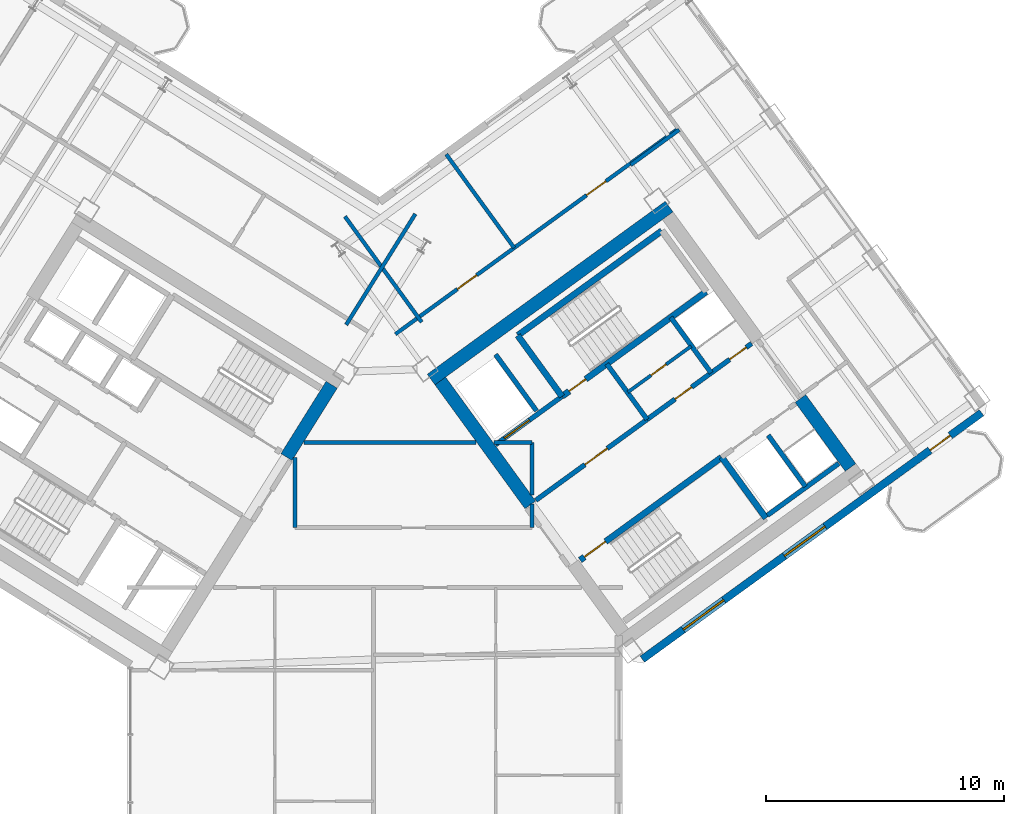
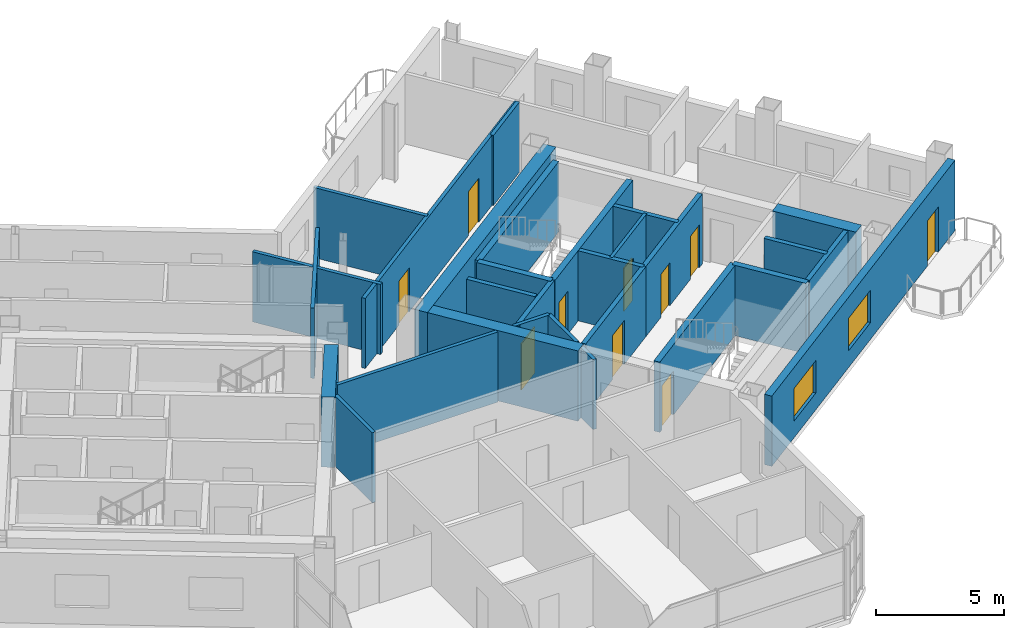
# One storey, part 14 of 20: 29 walls, 10 doors, 2 windows, 12 openings.
"""IFC4 building model written with IfcOpenShell, lengths in metres."""

import ifcopenshell
import ifcopenshell.guid

model = None  # the IFC model being written
_history = None  # IfcOwnerHistory: only IFC2X3 demands one
_inside = {}  # id of a spatial element -> (the spatial element, [elements in it])
_under = {}  # id of a project, library or spatial element -> (it, [spatial elements below it])
_declared = {}  # id of a project -> (the project, [libraries it declares])
_typed = {}  # id of a type object -> (the type object, [elements of that type])
_made_of = {}  # id of a material, layer set ... -> (it, [elements and type objects made of it])


def new_model(schema):
    """Start an empty IFC model of exactly this schema.

    Asked for "IFC4X3", IfcOpenShell would pick the latest addendum, in which some entities
    have other attributes; the version numbers below select the first issue.
    IFC2X3 requires an IfcOwnerHistory on every rooted entity: one is made here for all.
    """
    global model, _history
    if schema == "IFC4X3":
        model = ifcopenshell.file(schema_version=(4, 3, 0, 0))
    else:
        model = ifcopenshell.file(schema=schema)
    _inside.clear()
    _under.clear()
    _declared.clear()
    _typed.clear()
    _made_of.clear()
    _history = None
    if model.schema == "IFC2X3":
        org = make("IfcOrganization", Name="unknown")
        user = make(
            "IfcPersonAndOrganization",
            ThePerson=make("IfcPerson", FamilyName="unknown"),
            TheOrganization=org,
        )
        app = make(
            "IfcApplication",
            ApplicationDeveloper=org,
            Version="unknown",
            ApplicationFullName="unknown",
            ApplicationIdentifier="unknown",
        )
        _history = make(
            "IfcOwnerHistory",
            OwningUser=user,
            OwningApplication=app,
            ChangeAction="ADDED",
            CreationDate=0,
        )
    return model


def make(cls, **values):
    """One entity of the class cls with the attributes given. An attribute that is None is left unset."""
    return model.create_entity(
        cls, **{name: value for name, value in values.items() if value is not None}
    )


def rooted(cls, **values):
    """An entity with a GlobalId (a new one), such as an element, a storey or a relation."""
    return make(cls, GlobalId=ifcopenshell.guid.new(), OwnerHistory=_history, **values)


def si_unit(unit_type, name, prefix=None):
    """IfcSIUnit, for example si_unit("LENGTHUNIT", "METRE", prefix="MILLI")."""
    return make("IfcSIUnit", UnitType=unit_type, Prefix=prefix, Name=name)


def assignment(units):
    """IfcUnitAssignment: the units of a project."""
    return None if units is None else make("IfcUnitAssignment", Units=units)


def point(xyz):
    """IfcCartesianPoint."""
    return None if xyz is None else make("IfcCartesianPoint", Coordinates=xyz)


def direction(xyz):
    """IfcDirection."""
    return None if xyz is None else make("IfcDirection", DirectionRatios=xyz)


def frame(location, z_axis=None, x_axis=None):
    """IfcAxis2Placement3D, a coordinate frame: its origin and axes. An axis left out is left unset."""
    return make(
        "IfcAxis2Placement3D",
        Location=point(location),
        Axis=direction(z_axis),
        RefDirection=direction(x_axis),
    )


def frame_2d(location, x_axis=None):
    """IfcAxis2Placement2D, a coordinate frame in the plane: its origin and x axis."""
    return make(
        "IfcAxis2Placement2D", Location=point(location), RefDirection=direction(x_axis)
    )


def origin():
    """The frame at (0, 0, 0) with its axes left unset."""
    return frame((0.0, 0.0, 0.0))


def place(relative_to, where):
    """IfcLocalPlacement: puts the frame where relative to a parent placement (None: the world)."""
    return make(
        "IfcLocalPlacement", PlacementRelTo=relative_to, RelativePlacement=where
    )


def context(
    kind, dimensions, precision=None, world=None, true_north=None, identifier=None
):
    """IfcGeometricRepresentationContext, for example the 3D "Model" context."""
    return make(
        "IfcGeometricRepresentationContext",
        ContextIdentifier=identifier,
        ContextType=kind,
        CoordinateSpaceDimension=dimensions,
        Precision=precision,
        WorldCoordinateSystem=world,
        TrueNorth=true_north,
    )


def subcontext(parent, identifier, kind, view, scale=None):
    """IfcGeometricRepresentationSubContext, for example "Body" below "Model"."""
    return make(
        "IfcGeometricRepresentationSubContext",
        ContextIdentifier=identifier,
        ContextType=kind,
        ParentContext=parent,
        TargetScale=scale,
        TargetView=view,
    )


def project(units=None, contexts=None):
    """IfcProject with its units and contexts."""
    return rooted(
        "IfcProject",
        Name="project",
        RepresentationContexts=contexts,
        UnitsInContext=assignment(units),
    )


def spatial(cls, under=None, at=None, **own):
    """A site, building, storey or space (cls), placed at a placement, below another one or the project."""
    s = rooted(cls, ObjectPlacement=at, **own)
    if under is not None:
        _under.setdefault(under.id(), (under, []))[1].append(s)
    return s


def profile(cls, at=None, kind="AREA", **sizes):
    """A parametric profile (cls). Its sizes go by their IFC names, for example OverallWidth=200.0."""
    return make(cls, ProfileType=kind, Position=at, **sizes)


def rectangle(**sizes):
    """IfcRectangleProfileDef."""
    return profile("IfcRectangleProfileDef", **sizes)


def extrude(swept, where, along, depth):
    """IfcExtrudedAreaSolid: the profile swept, set in the frame where, extruded along a direction by depth."""
    return make(
        "IfcExtrudedAreaSolid",
        SweptArea=swept,
        Position=where,
        ExtrudedDirection=direction(along),
        Depth=depth,
    )


def shape(context_of_items, identifier, shape_type, items):
    """IfcShapeRepresentation: the items that make up one representation, for example the "Body"."""
    return make(
        "IfcShapeRepresentation",
        ContextOfItems=context_of_items,
        RepresentationIdentifier=identifier,
        RepresentationType=shape_type,
        Items=items,
    )


def source(mapping_origin, context_of_items, identifier, shape_type, items):
    """IfcRepresentationMap: a shape defined once, which mapped items show again and again."""
    return make(
        "IfcRepresentationMap",
        MappingOrigin=mapping_origin,
        MappedRepresentation=shape(context_of_items, identifier, shape_type, items),
    )


def transform(
    local_origin,
    x_axis=None,
    y_axis=None,
    z_axis=None,
    scale=None,
    scale2=None,
    scale3=None,
    uniform=True,
):
    """IfcCartesianTransformationOperator3D, or its non-uniform kind. x_axis, y_axis, z_axis: its Axis1, 2, 3."""
    if uniform:
        return make(
            "IfcCartesianTransformationOperator3D",
            Axis1=direction(x_axis),
            Axis2=direction(y_axis),
            LocalOrigin=point(local_origin),
            Scale=scale,
            Axis3=direction(z_axis),
        )
    return make(
        "IfcCartesianTransformationOperator3DnonUniform",
        Axis1=direction(x_axis),
        Axis2=direction(y_axis),
        LocalOrigin=point(local_origin),
        Scale=scale,
        Axis3=direction(z_axis),
        Scale2=scale2,
        Scale3=scale3,
    )


def mapped(mapping_source, mapping_target):
    """IfcMappedItem: shows the shape of a source again, moved by a transform."""
    return make(
        "IfcMappedItem", MappingSource=mapping_source, MappingTarget=mapping_target
    )


def material(Name=None, Category=None):
    """IfcMaterial."""
    return make("IfcMaterial", Name=Name, Category=Category)


def layer(
    of_material, thickness, ventilated=None, Name=None, Category=None, Priority=None
):
    """IfcMaterialLayer: one layer of a wall or slab, of a material (None: an air gap)."""
    return make(
        "IfcMaterialLayer",
        Material=of_material,
        LayerThickness=thickness,
        IsVentilated=ventilated,
        Name=Name,
        Category=Category,
        Priority=Priority,
    )


def layer_set(layers, Name=None):
    """IfcMaterialLayerSet."""
    return make("IfcMaterialLayerSet", MaterialLayers=layers, LayerSetName=Name)


def made_of(thing, what):
    """Note that an element or type object is made of a material, layer set ...; save() writes the relation."""
    if what is not None:
        _made_of.setdefault(what.id(), (what, []))[1].append(thing)
    return thing


def type_object(cls, material=None, **own):
    """A type object (cls), such as IfcWallType, which elements share."""
    return made_of(rooted(cls, **own), material)


def element(
    cls,
    number,
    at=None,
    inside=None,
    cuts=None,
    type_object=None,
    material=None,
    context=None,
    identifier="Body",
    shape_type=None,
    held_by="IfcProductDefinitionShape",
    body=None,
    shapes=None,
    **own,
):
    """One element of the class cls, such as IfcWall. Its Tag is "e" and its number.

    at: its placement. inside: the storey or other place that contains it. cuts: it is an
    opening in that element (IfcRelVoidsElement). A single representation is given by context,
    identifier, shape_type and body (its items); several are given by shapes. held_by: the class
    of the entity that holds the representations. save() writes the other relations.
    """
    e = rooted(cls, Tag="e%d" % number, ObjectPlacement=at, **own)
    if body is not None:
        shapes = [shape(context, identifier, shape_type, body)]
    if shapes is not None:
        e.Representation = make(held_by, Representations=shapes)
    if inside is not None:
        _inside.setdefault(inside.id(), (inside, []))[1].append(e)
    if cuts is not None:
        rooted(
            "IfcRelVoidsElement", RelatingBuildingElement=cuts, RelatedOpeningElement=e
        )
    if type_object is not None:
        _typed.setdefault(type_object.id(), (type_object, []))[1].append(e)
    return made_of(e, material)


def fill(opening, filler):
    """IfcRelFillsElement: the door or window that sits in an opening."""
    return rooted(
        "IfcRelFillsElement",
        RelatingOpeningElement=opening,
        RelatedBuildingElement=filler,
    )


def aggregate(whole, parts):
    """IfcRelAggregates: a whole, such as a stair, and the parts it consists of."""
    return rooted("IfcRelAggregates", RelatingObject=whole, RelatedObjects=parts)


def save(model, path):
    """Write the relations noted so far, then the file.

    IfcRelAggregates (storeys below a building ...), IfcRelContainedInSpatialStructure (elements
    in a storey), IfcRelDefinesByType, IfcRelAssociatesMaterial and IfcRelDeclares: one each for
    every whole, place, type object, material and project.
    """
    for whole, parts in _under.values():
        aggregate(whole, parts)
    for where, things in _inside.values():
        rooted(
            "IfcRelContainedInSpatialStructure",
            RelatedElements=things,
            RelatingStructure=where,
        )
    for kind, things in _typed.values():
        rooted("IfcRelDefinesByType", RelatedObjects=things, RelatingType=kind)
    for what, things in _made_of.values():
        rooted("IfcRelAssociatesMaterial", RelatedObjects=things, RelatingMaterial=what)
    for by, libraries in _declared.values():
        rooted("IfcRelDeclares", RelatingContext=by, RelatedDefinitions=libraries)
    model.write(path)


model = new_model("IFC4")

# Units and contexts
model_context = context("Model", 3, precision=1e-05, world=origin(), true_north=direction((0.0, 1.0)))
body_context = subcontext(model_context, "Body", "Model", "MODEL_VIEW")
ifc_project = project(units=[si_unit("LENGTHUNIT", "METRE"), si_unit("AREAUNIT", "SQUARE_METRE"), si_unit("VOLUMEUNIT", "CUBIC_METRE"), si_unit("PLANEANGLEUNIT", "RADIAN"), si_unit("MASSUNIT", "GRAM", prefix="KILO")], contexts=[model_context])

# Site, building, storey
site_placement = place(None, origin())
site = spatial("IfcSite", under=ifc_project, at=site_placement, CompositionType="ELEMENT")
building_placement = place(site_placement, origin())
building = spatial("IfcBuilding", under=site, at=building_placement, Name="Tlacorven Tower", CompositionType="ELEMENT")
storey_placement = place(building_placement, frame((0.0, 0.0, 187.800048828125)))
storey = spatial("IfcBuildingStorey", under=building, at=storey_placement, Name="L47", CompositionType="ELEMENT", Elevation=187.800048828125)

# Walls
ifc_material_1 = material(Name="Concrete C60/75", Category="concrete")
ifc_layer_1 = layer(ifc_material_1, 0.550048828125)
ifc_layer_set_1 = layer_set([ifc_layer_1], Name="Concrete C60/75")
wall_type_1 = type_object("IfcWallType", Name="WL-COR-550", PredefinedType="SHEAR", material=ifc_layer_set_1)
wall_1_placement = place(storey_placement, frame((40.194091796875, 23.92236328125, 0.0), z_axis=(0.0, 0.0, 1.0), x_axis=(-0.529888438328, -0.848067357541, 0.0)))
element("IfcWall", 1, at=wall_1_placement, inside=storey, type_object=wall_type_1, Name="L47 W core end wall E1.1", PredefinedType="SHEAR", context=body_context, shape_type="SweptSolid", body=[
    extrude(rectangle(XDim=3.574951171875, YDim=0.550048828125, at=frame_2d((1.78759765625, 0.0))), origin(), (0.0, 0.0, 1.0), 3.349853515625),
])
wall_2_placement = place(storey_placement, frame((44.364990234375, 24.142333984375, 0.0), z_axis=(0.0, 0.0, 1.0), x_axis=(0.809024304885, 0.587775190107, 0.0)))
element("IfcWall", 2, at=wall_2_placement, inside=storey, type_object=wall_type_1, Name="L47 E core shear wall S2", PredefinedType="SHEAR", context=body_context, shape_type="SweptSolid", body=[
    extrude(rectangle(XDim=12.340087890625, YDim=0.550048828125, at=frame_2d((6.169921875, 0.0))), origin(), (0.0, 0.0, 1.0), 3.349853515625),
])
wall_3_placement = place(storey_placement, frame((48.525634765625, 18.883544921875, 0.0), z_axis=(0.0, 0.0, 1.0), x_axis=(-0.587764933797, 0.809031756236, 0.0)))
element("IfcWall", 3, at=wall_3_placement, inside=storey, type_object=wall_type_1, Name="L47 E core end wall E1.2", PredefinedType="SHEAR", context=body_context, shape_type="SweptSolid", body=[
    extrude(rectangle(XDim=6.425048828125, YDim=0.550048828125, at=frame_2d((3.21240234375, 0.0))), origin(), (0.0, 0.0, 1.0), 3.349853515625),
])
wall_4_placement = place(storey_placement, frame((61.9580078125, 20.453857421875, 0.0), z_axis=(0.0, 0.0, 1.0), x_axis=(-0.587802113096, 0.809004744015, 0.0)))
element("IfcWall", 4, at=wall_4_placement, inside=storey, type_object=wall_type_1, Name="L47 E core end wall E2.1", PredefinedType="SHEAR", context=body_context, shape_type="SweptSolid", body=[
    extrude(rectangle(XDim=3.574951171875, YDim=0.550048828125, at=frame_2d((1.78759765625, 0.0))), origin(), (0.0, 0.0, 1.0), 3.349853515625),
])
ifc_material_2 = material(Name="Gypsum plasterboard acoustic partition", Category="gypsum")
ifc_layer_2 = layer(ifc_material_2, 0.159912109375)
ifc_layer_set_2 = layer_set([ifc_layer_2], Name="Gypsum plasterboard acoustic partition")
wall_type_2 = type_object("IfcWallType", Name="WL-DEM-160", PredefinedType="PARTITIONING", material=ifc_layer_set_2)
wall_5_placement = place(storey_placement, frame((43.70361328125, 31.086181640625, 0.0), z_axis=(0.0, 0.0, 1.0), x_axis=(-0.529906828443, -0.848055866774, 0.0)))
element("IfcWall", 5, at=wall_5_placement, inside=storey, type_object=wall_type_2, Name="L47 WC West Throat Wall", PredefinedType="PARTITIONING", context=body_context, shape_type="SweptSolid", body=[
    extrude(rectangle(XDim=5.479736328125, YDim=0.159912109375, at=frame_2d((2.73974609375, 0.0))), origin(), (0.0, 0.0, 1.0), 3.33984375),
])
wall_6_placement = place(storey_placement, frame((38.64990234375, 17.929931640625, 0.0), z_axis=(0.0, 0.0, 1.0), x_axis=(0.0, 1.0, 0.0)))
element("IfcWall", 6, at=wall_6_placement, inside=storey, type_object=wall_type_2, Name="L47 partition 73", PredefinedType="PARTITIONING", context=body_context, shape_type="SweptSolid", body=[
    extrude(rectangle(XDim=2.951416015625, YDim=0.159912109375, at=frame_2d((1.4755859375, 0.0))), origin(), (0.0, 0.0, 1.0), 3.33984375),
])
wall_7_placement = place(storey_placement, frame((48.60009765625, 17.929931640625, 0.0), z_axis=(0.0, 0.0, 1.0), x_axis=(0.0, 1.0, 0.0)))
element("IfcWall", 7, at=wall_7_placement, inside=storey, type_object=wall_type_2, Name="L47 partition 74", PredefinedType="PARTITIONING", context=body_context, shape_type="SweptSolid", body=[
    extrude(rectangle(XDim=0.99267578125, YDim=0.159912109375, at=frame_2d((0.496337890625, 0.0))), origin(), (0.0, 0.0, 1.0), 3.33984375),
])
wall_8_placement = place(storey_placement, frame((48.60009765625, 19.295166015625, 0.0), z_axis=(0.0, 0.0, 1.0), x_axis=(0.0, 1.0, 0.0)))
element("IfcWall", 8, at=wall_8_placement, inside=storey, type_object=wall_type_2, Name="L47 partition 74", PredefinedType="PARTITIONING", context=body_context, shape_type="SweptSolid", body=[
    extrude(rectangle(XDim=2.204833984375, YDim=0.159912109375, at=frame_2d((1.1025390625, 0.0))), origin(), (0.0, 0.0, 1.0), 3.33984375),
])
wall_9_placement = place(storey_placement, frame((39.03662109375, 21.5, 0.0), z_axis=(0.0, 0.0, 1.0), x_axis=(1.0, 0.0, 0.0)))
element("IfcWall", 9, at=wall_9_placement, inside=storey, type_object=wall_type_2, Name="L47 partition 75", PredefinedType="PARTITIONING", context=body_context, shape_type="SweptSolid", body=[
    extrude(rectangle(XDim=7.21484375, YDim=0.159912109375, at=frame_2d((3.607421875, 0.0))), origin(), (0.0, 0.0, 1.0), 3.33984375),
])
wall_10_placement = place(storey_placement, frame((46.998046875, 21.5, 0.0), z_axis=(0.0, 0.0, 1.0), x_axis=(1.0, 0.0, 0.0)))
element("IfcWall", 10, at=wall_10_placement, inside=storey, type_object=wall_type_2, Name="L47 partition 75", PredefinedType="PARTITIONING", context=body_context, shape_type="SweptSolid", body=[
    extrude(rectangle(XDim=1.60205078125, YDim=0.159912109375, at=frame_2d((0.801025390625, 0.0))), origin(), (0.0, 0.0, 1.0), 3.33984375),
])
wall_11_placement = place(storey_placement, frame((52.73876953125, 33.143310546875, 0.0), z_axis=(0.0, 0.0, 1.0), x_axis=(0.809000999347, 0.58780726693, 0.0)))
element("IfcWall", 11, at=wall_11_placement, inside=storey, type_object=wall_type_2, Name="L47 partition 88", PredefinedType="PARTITIONING", context=body_context, shape_type="SweptSolid", body=[
    extrude(rectangle(XDim=2.510009765625, YDim=0.159912109375, at=frame_2d((1.2548828125, 0.0))), origin(), (0.0, 0.0, 1.0), 3.33984375),
])

# Wall, openings, doors
wall_12_placement = place(storey_placement, frame((42.86572265625, 26.04443359375, 0.0), z_axis=(0.0, 0.0, 1.0), x_axis=(0.809020254154, 0.587780765566, 0.0)))
wall_12 = element("IfcWall", 12, at=wall_12_placement, inside=storey, type_object=wall_type_2, Name="L47 partition 96", PredefinedType="PARTITIONING", context=body_context, shape_type="SweptSolid", body=[
    extrude(rectangle(XDim=14.670166015625, YDim=0.159912109375, at=frame_2d((7.3349609375, 0.0))), origin(), (0.0, 0.0, 1.0), 3.33984375),
])
opening_1_placement = place(wall_12_placement, frame((3.215087890625, 0.0, 0.0)))
opening_1 = element("IfcOpeningElement", 13, at=opening_1_placement, cuts=wall_12, Name="Opening D11", PredefinedType="OPENING", context=body_context, shape_type="SweptSolid", body=[
    extrude(rectangle(XDim=1.0, YDim=2.10009765625, at=frame_2d((0.5, 1.050048828125))), frame((0.0, 0.08984375, 0.0), z_axis=(0.0, -1.0, 0.0), x_axis=(1.0, 0.0, 0.0)), (0.0, 0.0, 1.0), 0.179931640625),
])
opening_2_placement = place(wall_12_placement, frame((9.9150390625, 0.0, 0.0)))
opening_2 = element("IfcOpeningElement", 14, at=opening_2_placement, cuts=wall_12, Name="Opening D11", PredefinedType="OPENING", context=body_context, shape_type="SweptSolid", body=[
    extrude(rectangle(XDim=1.0, YDim=2.10009765625, at=frame_2d((0.5, 1.050048828125))), frame((0.0, 0.08984375, 0.0), z_axis=(0.0, -1.0, 0.0), x_axis=(1.0, 0.0, 0.0)), (0.0, 0.0, 1.0), 0.179931640625),
])
ifc_material_3 = material(Name="Fire-rated steel door assembly", Category="steel")
door_type_1 = type_object("IfcDoorType", Name="DR-FLT-FD60-1000", OperationType="NOTDEFINED", PredefinedType="DOOR", material=ifc_material_3)
shared_shape_1 = source(origin(), body_context, "Body", "SweptSolid", [
    extrude(rectangle(XDim=1.0, YDim=2.10009765625, at=frame_2d((0.5, 1.050048828125))), frame((0.0, 0.02490234375, 0.0), z_axis=(0.0, -1.0, 0.0), x_axis=(1.0, 0.0, 0.0)), (0.0, 0.0, 1.0), 0.050048828125),
])
door_1_placement = place(opening_1_placement, origin())
door_1 = element("IfcDoor", 15, at=door_1_placement, inside=storey, type_object=door_type_1, Name="L47 door 062", OperationType="SINGLE_SWING_RIGHT", OverallHeight=2.10009765625, OverallWidth=1.0, PredefinedType="DOOR", context=body_context, shape_type="MappedRepresentation", body=[
    mapped(shared_shape_1, transform((0.0, 0.0, 0.0), scale=1.0)),
])
fill(opening_1, door_1)
door_2_placement = place(opening_2_placement, origin())
door_2 = element("IfcDoor", 16, at=door_2_placement, inside=storey, type_object=door_type_1, Name="L47 door 063", OperationType="SINGLE_SWING_LEFT", OverallHeight=2.10009765625, OverallWidth=1.0, PredefinedType="DOOR", context=body_context, shape_type="MappedRepresentation", body=[
    mapped(shared_shape_1, transform((0.0, 0.0, 0.0), scale=1.0)),
])
fill(opening_2, door_2)

# Walls
wall_13_placement = place(storey_placement, frame((43.969482421875, 26.549560546875, 0.0), z_axis=(0.0, 0.0, 1.0), x_axis=(-0.587776919386, 0.80902304852, 0.0)))
element("IfcWall", 17, at=wall_13_placement, inside=storey, type_object=wall_type_2, Name="L47 EC West Throat Wall", PredefinedType="PARTITIONING", context=body_context, shape_type="SweptSolid", body=[
    extrude(rectangle(XDim=5.47998046875, YDim=0.159912109375, at=frame_2d((2.739990234375, 0.0))), origin(), (0.0, 0.0, 1.0), 3.33984375),
])
wall_14_placement = place(storey_placement, frame((47.849365234375, 29.6650390625, 0.0), z_axis=(0.0, 0.0, 1.0), x_axis=(-0.587785532001, 0.809016791155, 0.0)))
element("IfcWall", 18, at=wall_14_placement, inside=storey, type_object=wall_type_2, Name="L47 EC Demising Wall 1", PredefinedType="PARTITIONING", context=body_context, shape_type="SweptSolid", body=[
    extrude(rectangle(XDim=4.85009765625, YDim=0.159912109375, at=frame_2d((2.425048828125, 0.0))), origin(), (0.0, 0.0, 1.0), 3.33984375),
])

# Wall, openings, door, windows
ifc_material_4 = material(Name="Precast concrete C45/55", Category="concrete")
ifc_layer_3 = layer(ifc_material_4, 0.320068359375)
ifc_layer_set_3 = layer_set([ifc_layer_3], Name="Precast concrete C45/55")
wall_type_3 = type_object("IfcWallType", Name="WL-EXT-320", PredefinedType="STANDARD", material=ifc_layer_set_3)
wall_15_placement = place(storey_placement, frame((67.45361328125, 22.746826171875, 0.0), z_axis=(0.0, 0.0, 1.0), x_axis=(-0.809021120468, -0.587779573171, 0.0)))
wall_15 = element("IfcWall", 19, at=wall_15_placement, inside=storey, type_object=wall_type_3, Name="L47 Masonry-Frame Recessed Facade Wall 6", PredefinedType="STANDARD", context=body_context, shape_type="SweptSolid", body=[
    extrude(rectangle(XDim=17.587646484375, YDim=0.320068359375, at=frame_2d((8.7939453125, 0.0))), origin(), (0.0, 0.0, 1.0), 3.349853515625),
])
opening_3_placement = place(wall_15_placement, frame((1.623779296875, 0.0, 0.0)))
opening_3 = element("IfcOpeningElement", 20, at=opening_3_placement, cuts=wall_15, Name="Opening D06", PredefinedType="OPENING", context=body_context, shape_type="SweptSolid", body=[
    extrude(rectangle(XDim=1.050048828125, YDim=2.14990234375, at=frame_2d((0.52490234375, 1.074951171875))), frame((0.0, 0.169921875, 0.0), z_axis=(0.0, -1.0, 0.0), x_axis=(1.0, 0.0, 0.0)), (0.0, 0.0, 1.0), 0.340087890625),
])
opening_4_placement = place(wall_15_placement, frame((8.11865234375, 0.0, 0.800048828125)))
opening_4 = element("IfcOpeningElement", 21, at=opening_4_placement, cuts=wall_15, Name="Opening WN04", PredefinedType="OPENING", context=body_context, shape_type="SweptSolid", body=[
    extrude(rectangle(XDim=2.10009765625, YDim=1.550048828125, at=frame_2d((1.050048828125, 0.77490234375))), frame((0.0, 0.169921875, 0.0), z_axis=(0.0, -1.0, 0.0), x_axis=(1.0, 0.0, 0.0)), (0.0, 0.0, 1.0), 0.340087890625),
])
opening_5_placement = place(wall_15_placement, frame((13.36865234375, 0.0, 0.800048828125)))
opening_5 = element("IfcOpeningElement", 22, at=opening_5_placement, cuts=wall_15, Name="Opening WN04", PredefinedType="OPENING", context=body_context, shape_type="SweptSolid", body=[
    extrude(rectangle(XDim=2.10009765625, YDim=1.550048828125, at=frame_2d((1.050048828125, 0.77490234375))), frame((0.0, 0.169921875, 0.0), z_axis=(0.0, -1.0, 0.0), x_axis=(1.0, 0.0, 0.0)), (0.0, 0.0, 1.0), 0.340087890625),
])
ifc_material_5 = material(Name="Powder-coated aluminium and timber door", Category="wood")
door_type_2 = type_object("IfcDoorType", Name="DR-EXT-BALC-1050", OperationType="NOTDEFINED", PredefinedType="DOOR", material=ifc_material_5)
shared_shape_2 = source(origin(), body_context, "Body", "SweptSolid", [
    extrude(rectangle(XDim=1.050048828125, YDim=2.14990234375, at=frame_2d((0.52490234375, 1.074951171875))), frame((0.0, 0.02490234375, 0.0), z_axis=(0.0, -1.0, 0.0), x_axis=(1.0, 0.0, 0.0)), (0.0, 0.0, 1.0), 0.050048828125),
])
door_3_placement = place(opening_3_placement, origin())
door_3 = element("IfcDoor", 23, at=door_3_placement, inside=storey, type_object=door_type_2, Name="L47 Outdoor Access Door BAL-L47-E-OUT", OperationType="SINGLE_SWING_LEFT", OverallHeight=2.14990234375, OverallWidth=1.050048828125, PredefinedType="DOOR", context=body_context, shape_type="MappedRepresentation", body=[
    mapped(shared_shape_2, transform((0.0, 0.0, 0.0), scale=1.0)),
])
fill(opening_3, door_3)
ifc_material_6 = material(Name="Dark solar low-E double glazing in anodised aluminium frame", Category="aluminium")
window_type = type_object("IfcWindowType", Name="WN-APT-2100X1750", PartitioningType="SINGLE_PANEL", PredefinedType="WINDOW", material=ifc_material_6)
shared_shape_3 = source(origin(), body_context, "Body", "SweptSolid", [
    extrude(rectangle(XDim=2.10009765625, YDim=1.550048828125, at=frame_2d((1.050048828125, 0.77490234375))), frame((0.0, 0.030029296875, 0.0), z_axis=(0.0, -1.0, 0.0), x_axis=(1.0, 0.0, 0.0)), (0.0, 0.0, 1.0), 0.06005859375),
])
window_1_placement = place(opening_4_placement, origin())
window_1 = element("IfcWindow", 24, at=window_1_placement, inside=storey, type_object=window_type, Name="L47 Recessed Masonry-Frame Window L47-06.1", OverallHeight=1.550048828125, OverallWidth=2.10009765625, PartitioningType="SINGLE_PANEL", PredefinedType="WINDOW", context=body_context, shape_type="MappedRepresentation", body=[
    mapped(shared_shape_3, transform((0.0, 0.0, 0.0), scale=1.0)),
])
fill(opening_4, window_1)
window_2_placement = place(opening_5_placement, origin())
window_2 = element("IfcWindow", 25, at=window_2_placement, inside=storey, type_object=window_type, Name="L47 Recessed Masonry-Frame Window L47-06.2", OverallHeight=1.550048828125, OverallWidth=2.10009765625, PartitioningType="SINGLE_PANEL", PredefinedType="WINDOW", context=body_context, shape_type="MappedRepresentation", body=[
    mapped(shared_shape_3, transform((0.0, 0.0, 0.0), scale=1.0)),
])
fill(opening_5, window_2)

# Wall, opening, door
ifc_material_7 = material(Name="Moisture-resistant gypsum plumbing wall", Category="gypsum")
ifc_layer_4 = layer(ifc_material_7, 0.139892578125)
ifc_layer_set_4 = layer_set([ifc_layer_4], Name="Moisture-resistant gypsum plumbing wall")
wall_type_4 = type_object("IfcWallType", Name="WL-PLM-140", PredefinedType="PLUMBINGWALL", material=ifc_layer_set_4)
wall_16_placement = place(storey_placement, frame((52.617919921875, 23.612060546875, 0.0), z_axis=(0.0, 0.0, 1.0), x_axis=(0.809009587469, 0.587795446889, 0.0)))
wall_16 = element("IfcWall", 26, at=wall_16_placement, inside=storey, type_object=wall_type_4, Name="L47 partition 41", PredefinedType="PLUMBINGWALL", context=body_context, shape_type="SweptSolid", body=[
    extrude(rectangle(XDim=3.280029296875, YDim=0.139892578125, at=frame_2d((1.64013671875, 0.0))), origin(), (0.0, 0.0, 1.0), 3.33984375),
])
opening_6_placement = place(wall_16_placement, frame((1.199951171875, 0.0, 0.0)))
opening_6 = element("IfcOpeningElement", 27, at=opening_6_placement, cuts=wall_16, Name="Opening D22", PredefinedType="OPENING", context=body_context, shape_type="SweptSolid", body=[
    extrude(rectangle(XDim=0.780029296875, YDim=2.050048828125, at=frame_2d((0.39013671875, 1.02490234375))), frame((0.0, 0.080078125, 0.0), z_axis=(0.0, -1.0, 0.0), x_axis=(1.0, 0.0, 0.0)), (0.0, 0.0, 1.0), 0.159912109375),
])
door_type_3 = type_object("IfcDoorType", Name="DR-INT-WET-0780", OperationType="NOTDEFINED", PredefinedType="DOOR", material=ifc_material_5)
shared_shape_4 = source(origin(), body_context, "Body", "SweptSolid", [
    extrude(rectangle(XDim=0.780029296875, YDim=2.050048828125, at=frame_2d((0.39013671875, 1.02490234375))), frame((0.0, 0.02490234375, 0.0), z_axis=(0.0, -1.0, 0.0), x_axis=(1.0, 0.0, 0.0)), (0.0, 0.0, 1.0), 0.050048828125),
])
door_4_placement = place(opening_6_placement, origin())
door_4 = element("IfcDoor", 28, at=door_4_placement, inside=storey, type_object=door_type_3, Name="L47 door 019", OperationType="SINGLE_SWING_RIGHT", OverallHeight=2.050048828125, OverallWidth=0.780029296875, PredefinedType="DOOR", context=body_context, shape_type="MappedRepresentation", body=[
    mapped(shared_shape_4, transform((0.0, 0.0, 0.0), scale=1.0)),
])
fill(opening_6, door_4)

ifc_material_8 = material(Name="Concrete C40/50", Category="concrete")
ifc_layer_5 = layer(ifc_material_8, 0.199951171875)
ifc_layer_set_5 = layer_set([ifc_layer_5], Name="Concrete C40/50")
wall_type_5 = type_object("IfcWallType", Name="WL-SHF-200", PredefinedType="STANDARD", material=ifc_layer_set_5)
wall_17_placement = place(storey_placement, frame((47.0654296875, 21.4072265625, 0.0), z_axis=(0.0, 0.0, 1.0), x_axis=(0.809032984992, 0.587763242466, 0.0)))
wall_17 = element("IfcWall", 29, at=wall_17_placement, inside=storey, type_object=wall_type_5, Name="L47 Core E Firefighting Lift Shaft Front Wall", PredefinedType="STANDARD", context=body_context, shape_type="SweptSolid", body=[
    extrude(rectangle(XDim=3.447998046875, YDim=0.199951171875, at=frame_2d((1.72412109375, 0.0))), origin(), (0.0, 0.0, 1.0), 3.33984375),
])
opening_7_placement = place(wall_17_placement, frame((0.4580078125, 0.0, 0.0)))
opening_7 = element("IfcOpeningElement", 30, at=opening_7_placement, cuts=wall_17, Name="Opening LD03", PredefinedType="OPENING", context=body_context, shape_type="SweptSolid", body=[
    extrude(rectangle(XDim=1.300048828125, YDim=2.199951171875, at=frame_2d((0.64990234375, 1.10009765625))), frame((0.0, 0.10986328125, 0.0), z_axis=(0.0, -1.0, 0.0), x_axis=(1.0, 0.0, 0.0)), (0.0, 0.0, 1.0), 0.219970703125),
])
door_type_4 = type_object("IfcDoorType", Name="DR-LFT-SLID-1300", OperationType="DOUBLE_DOOR_SLIDING", PredefinedType="DOOR", material=ifc_material_3)
shared_shape_5 = source(origin(), body_context, "Body", "SweptSolid", [
    extrude(rectangle(XDim=1.300048828125, YDim=2.199951171875, at=frame_2d((0.64990234375, 1.10009765625))), frame((0.0, 0.02490234375, 0.0), z_axis=(0.0, -1.0, 0.0), x_axis=(1.0, 0.0, 0.0)), (0.0, 0.0, 1.0), 0.050048828125),
])
door_5_placement = place(opening_7_placement, origin())
door_5 = element("IfcDoor", 31, at=door_5_placement, inside=storey, type_object=door_type_4, Name="L47 Lift FFL-E1 Sliding Landing Door", OperationType="DOUBLE_DOOR_SLIDING", OverallHeight=2.199951171875, OverallWidth=1.300048828125, PredefinedType="DOOR", context=body_context, shape_type="MappedRepresentation", body=[
    mapped(shared_shape_5, transform((0.0, 0.0, 0.0), scale=1.0)),
])
fill(opening_7, door_5)

wall_18_placement = place(storey_placement, frame((48.75830078125, 19.0771484375, 0.0), z_axis=(0.0, 0.0, 1.0), x_axis=(0.809005065155, 0.587801671104, 0.0)))
wall_18 = element("IfcWall", 32, at=wall_18_placement, inside=storey, type_object=wall_type_5, Name="L47 Core E Smoke Lobby Wall", PredefinedType="STANDARD", context=body_context, shape_type="SweptSolid", body=[
    extrude(rectangle(XDim=5.767822265625, YDim=0.199951171875, at=frame_2d((2.8837890625, 0.0))), origin(), (0.0, 0.0, 1.0), 3.33984375),
])
opening_8_placement = place(wall_18_placement, frame((2.548095703125, 0.0, 0.0)))
opening_8 = element("IfcOpeningElement", 33, at=opening_8_placement, cuts=wall_18, Name="Opening D09", PredefinedType="OPENING", context=body_context, shape_type="SweptSolid", body=[
    extrude(rectangle(XDim=1.14990234375, YDim=2.10009765625, at=frame_2d((0.574951171875, 1.050048828125))), frame((0.0, 0.10986328125, 0.0), z_axis=(0.0, -1.0, 0.0), x_axis=(1.0, 0.0, 0.0)), (0.0, 0.0, 1.0), 0.219970703125),
])
door_type_5 = type_object("IfcDoorType", Name="DR-FFL-FD60-1150", OperationType="NOTDEFINED", PredefinedType="DOOR", material=ifc_material_3)
shared_shape_6 = source(origin(), body_context, "Body", "SweptSolid", [
    extrude(rectangle(XDim=1.14990234375, YDim=2.10009765625, at=frame_2d((0.574951171875, 1.050048828125))), frame((0.0, 0.02490234375, 0.0), z_axis=(0.0, -1.0, 0.0), x_axis=(1.0, 0.0, 0.0)), (0.0, 0.0, 1.0), 0.050048828125),
])
door_6_placement = place(opening_8_placement, origin())
door_6 = element("IfcDoor", 34, at=door_6_placement, inside=storey, type_object=door_type_5, Name="L47 Firefighting Lobby E Fire Door", OperationType="SINGLE_SWING_RIGHT", OverallHeight=2.10009765625, OverallWidth=1.14990234375, PredefinedType="DOOR", context=body_context, shape_type="MappedRepresentation", body=[
    mapped(shared_shape_6, transform((0.0, 0.0, 0.0), scale=1.0)),
])
fill(opening_8, door_6)

# Walls
wall_19_placement = place(storey_placement, frame((48.78564453125, 22.830078125, 0.0), z_axis=(0.0, 0.0, 1.0), x_axis=(-0.587783856777, 0.809018008275, 0.0)))
element("IfcWall", 35, at=wall_19_placement, inside=storey, type_object=wall_type_5, Name="L47 partition 33", PredefinedType="STANDARD", context=body_context, shape_type="SweptSolid", body=[
    extrude(rectangle(XDim=2.919921875, YDim=0.199951171875, at=frame_2d((1.4599609375, 0.0))), origin(), (0.0, 0.0, 1.0), 3.33984375),
])
wall_20_placement = place(storey_placement, frame((60.066650390625, 19.654541015625, 0.0), z_axis=(0.0, 0.0, 1.0), x_axis=(-0.587800520745, 0.809005900975, 0.0)))
element("IfcWall", 36, at=wall_20_placement, inside=storey, type_object=wall_type_5, Name="L47 partition 34", PredefinedType="STANDARD", context=body_context, shape_type="SweptSolid", body=[
    extrude(rectangle(XDim=2.659912109375, YDim=0.199951171875, at=frame_2d((1.330078125, 0.0))), origin(), (0.0, 0.0, 1.0), 3.33984375),
])
wall_21_placement = place(storey_placement, frame((58.47216796875, 18.446533203125, 0.0), z_axis=(0.0, 0.0, 1.0), x_axis=(0.809018631237, 0.587782999339, 0.0)))
element("IfcWall", 37, at=wall_21_placement, inside=storey, type_object=wall_type_5, Name="L47 partition 36", PredefinedType="STANDARD", context=body_context, shape_type="SweptSolid", body=[
    extrude(rectangle(XDim=3.697998046875, YDim=0.199951171875, at=frame_2d((1.84912109375, 0.0))), origin(), (0.0, 0.0, 1.0), 3.33984375),
])
wall_22_placement = place(storey_placement, frame((53.424560546875, 22.467529296875, 0.0), z_axis=(0.0, 0.0, 1.0), x_axis=(-0.5877230039, 0.809062216821, 0.0)))
element("IfcWall", 38, at=wall_22_placement, inside=storey, type_object=wall_type_5, Name="L47 partition 38", PredefinedType="STANDARD", context=body_context, shape_type="SweptSolid", body=[
    extrude(rectangle(XDim=2.8798828125, YDim=0.199951171875, at=frame_2d((1.43994140625, 0.0))), origin(), (0.0, 0.0, 1.0), 3.33984375),
])
wall_23_placement = place(storey_placement, frame((56.110595703125, 24.4189453125, 0.0), z_axis=(0.0, 0.0, 1.0), x_axis=(-0.58777848983, 0.809021907548, 0.0)))
element("IfcWall", 39, at=wall_23_placement, inside=storey, type_object=wall_type_5, Name="L47 partition 39", PredefinedType="STANDARD", context=body_context, shape_type="SweptSolid", body=[
    extrude(rectangle(XDim=2.880126953125, YDim=0.199951171875, at=frame_2d((1.43994140625, 0.0))), origin(), (0.0, 0.0, 1.0), 3.33984375),
])

# Wall, openings, doors
wall_24_placement = place(storey_placement, frame((53.424560546875, 22.467529296875, 0.0), z_axis=(0.0, 0.0, 1.0), x_axis=(0.809024377198, 0.587775090574, 0.0)))
wall_24 = element("IfcWall", 40, at=wall_24_placement, inside=storey, type_object=wall_type_5, Name="L47 Core E North Service Wall", PredefinedType="STANDARD", context=body_context, shape_type="SweptSolid", body=[
    extrude(rectangle(XDim=5.41796875, YDim=0.199951171875, at=frame_2d((2.708984375, 0.0))), origin(), (0.0, 0.0, 1.0), 3.33984375),
])
opening_9_placement = place(wall_24_placement, frame((4.280029296875, 0.0, 0.0)))
opening_9 = element("IfcOpeningElement", 41, at=opening_9_placement, cuts=wall_24, Name="Opening D19", PredefinedType="OPENING", context=body_context, shape_type="SweptSolid", body=[
    extrude(rectangle(XDim=0.860107421875, YDim=2.050048828125, at=frame_2d((0.43017578125, 1.02490234375))), frame((0.0, 0.10986328125, 0.0), z_axis=(0.0, -1.0, 0.0), x_axis=(1.0, 0.0, 0.0)), (0.0, 0.0, 1.0), 0.219970703125),
])
opening_10_placement = place(wall_24_placement, frame((1.449951171875, 0.0, 0.0)))
opening_10 = element("IfcOpeningElement", 42, at=opening_10_placement, cuts=wall_24, Name="Opening D19", PredefinedType="OPENING", context=body_context, shape_type="SweptSolid", body=[
    extrude(rectangle(XDim=0.860107421875, YDim=2.050048828125, at=frame_2d((0.43017578125, 1.02490234375))), frame((0.0, 0.10986328125, 0.0), z_axis=(0.0, -1.0, 0.0), x_axis=(1.0, 0.0, 0.0)), (0.0, 0.0, 1.0), 0.219970703125),
])
door_type_6 = type_object("IfcDoorType", Name="DR-RSR-FD60-0860", OperationType="NOTDEFINED", PredefinedType="DOOR", material=ifc_material_3)
shared_shape_7 = source(origin(), body_context, "Body", "SweptSolid", [
    extrude(rectangle(XDim=0.860107421875, YDim=2.050048828125, at=frame_2d((0.43017578125, 1.02490234375))), frame((0.0, 0.02490234375, 0.0), z_axis=(0.0, -1.0, 0.0), x_axis=(1.0, 0.0, 0.0)), (0.0, 0.0, 1.0), 0.050048828125),
])
door_7_placement = place(opening_9_placement, frame((0.860107421875, 0.0, 0.0), z_axis=(0.0, 0.0, 1.0), x_axis=(-1.0, 0.0, 0.0)))
door_7 = element("IfcDoor", 43, at=door_7_placement, inside=storey, type_object=door_type_6, Name="L47 Electrical Riser Access Door E", OperationType="SINGLE_SWING_RIGHT", OverallHeight=2.050048828125, OverallWidth=0.860107421875, PredefinedType="DOOR", context=body_context, shape_type="MappedRepresentation", body=[
    mapped(shared_shape_7, transform((0.0, 0.0, 0.0), scale=1.0)),
])
fill(opening_9, door_7)
door_8_placement = place(opening_10_placement, frame((0.860107421875, 0.0, 0.0), z_axis=(0.0, 0.0, 1.0), x_axis=(-1.0, 0.0, 0.0)))
door_8 = element("IfcDoor", 44, at=door_8_placement, inside=storey, type_object=door_type_6, Name="L47 Cleaner Store Access Door E", OperationType="SINGLE_SWING_LEFT", OverallHeight=2.050048828125, OverallWidth=0.860107421875, PredefinedType="DOOR", context=body_context, shape_type="MappedRepresentation", body=[
    mapped(shared_shape_7, transform((0.0, 0.0, 0.0), scale=1.0)),
])
fill(opening_10, door_8)

# Wall
ifc_material_9 = material(Name="Concrete C50/60", Category="concrete")
ifc_layer_6 = layer(ifc_material_9, 0.260009765625)
ifc_layer_set_6 = layer_set([ifc_layer_6], Name="Concrete C50/60")
wall_type_6 = type_object("IfcWallType", Name="WL-STW-260", PredefinedType="SHEAR", material=ifc_layer_set_6)
wall_25_placement = place(storey_placement, frame((48.005615234375, 25.996337890625, 0.0), z_axis=(0.0, 0.0, 1.0), x_axis=(0.80901903764, 0.587782439969, 0.0)))
element("IfcWall", 45, at=wall_25_placement, inside=storey, type_object=wall_type_6, Name="L47 Stair E1 Far Shear Wall", PredefinedType="SHEAR", context=body_context, shape_type="SweptSolid", body=[
    extrude(rectangle(XDim=7.4599609375, YDim=0.260009765625, at=frame_2d((3.72998046875, 0.0))), origin(), (0.0, 0.0, 1.0), 3.349853515625),
])

# Wall, opening, door
wall_26_placement = place(storey_placement, frame((49.863037109375, 23.439697265625, 0.0), z_axis=(0.0, 0.0, 1.0), x_axis=(0.809003474932, 0.587803859759, 0.0)))
wall_26 = element("IfcWall", 46, at=wall_26_placement, inside=storey, type_object=wall_type_6, Name="L47 Stair E1 Lobby Shear Wall", PredefinedType="SHEAR", context=body_context, shape_type="SweptSolid", body=[
    extrude(rectangle(XDim=7.4599609375, YDim=0.260009765625, at=frame_2d((3.72998046875, 0.0))), origin(), (0.0, 0.0, 1.0), 3.349853515625),
])
opening_11_placement = place(wall_26_placement, frame((0.360107421875, 0.0, 0.0)))
opening_11 = element("IfcOpeningElement", 47, at=opening_11_placement, cuts=wall_26, Name="Opening D19", PredefinedType="OPENING", context=body_context, shape_type="SweptSolid", body=[
    extrude(rectangle(XDim=0.860107421875, YDim=2.050048828125, at=frame_2d((0.43017578125, 1.02490234375))), frame((0.0, 0.14013671875, 0.0), z_axis=(0.0, -1.0, 0.0), x_axis=(1.0, 0.0, 0.0)), (0.0, 0.0, 1.0), 0.280029296875),
])
door_9_placement = place(opening_11_placement, frame((0.860107421875, 0.0, 0.0), z_axis=(0.0, 0.0, 1.0), x_axis=(-1.0, 0.0, 0.0)))
door_9 = element("IfcDoor", 48, at=door_9_placement, inside=storey, type_object=door_type_6, Name="L47 Exit Stair E1 Fire Door", OperationType="SINGLE_SWING_LEFT", OverallHeight=2.050048828125, OverallWidth=0.860107421875, PredefinedType="DOOR", context=body_context, shape_type="MappedRepresentation", body=[
    mapped(shared_shape_7, transform((0.0, 0.0, 0.0), scale=1.0)),
])
fill(opening_11, door_9)

# Wall
wall_27_placement = place(storey_placement, frame((49.85498046875, 23.433837890625, 0.0), z_axis=(0.0, 0.0, 1.0), x_axis=(-0.58776738483, 0.809029975545, 0.0)))
element("IfcWall", 49, at=wall_27_placement, inside=storey, type_object=wall_type_6, Name="L47 Stair E1 West Shear Wall", PredefinedType="SHEAR", context=body_context, shape_type="SweptSolid", body=[
    extrude(rectangle(XDim=3.16015625, YDim=0.260009765625, at=frame_2d((1.580078125, 0.0))), origin(), (0.0, 0.0, 1.0), 3.349853515625),
])

# Wall, opening, door
wall_28_placement = place(storey_placement, frame((50.61474609375, 16.569580078125, 0.0), z_axis=(0.0, 0.0, 1.0), x_axis=(0.809028366311, 0.587769599847, 0.0)))
wall_28 = element("IfcWall", 50, at=wall_28_placement, inside=storey, type_object=wall_type_6, Name="L47 Stair E2 Lobby Shear Wall", PredefinedType="SHEAR", context=body_context, shape_type="SweptSolid", body=[
    extrude(rectangle(XDim=7.330078125, YDim=0.260009765625, at=frame_2d((3.6650390625, 0.0))), origin(), (0.0, 0.0, 1.0), 3.349853515625),
])
opening_12_placement = place(wall_28_placement, frame((0.219970703125, 0.0, 0.0)))
opening_12 = element("IfcOpeningElement", 51, at=opening_12_placement, cuts=wall_28, Name="Opening D07", PredefinedType="OPENING", context=body_context, shape_type="SweptSolid", body=[
    extrude(rectangle(XDim=1.10009765625, YDim=2.10009765625, at=frame_2d((0.550048828125, 1.050048828125))), frame((0.0, 0.14013671875, 0.0), z_axis=(0.0, -1.0, 0.0), x_axis=(1.0, 0.0, 0.0)), (0.0, 0.0, 1.0), 0.280029296875),
])
door_type_7 = type_object("IfcDoorType", Name="DR-STR-FD90-1100", OperationType="NOTDEFINED", PredefinedType="DOOR", material=ifc_material_3)
shared_shape_8 = source(origin(), body_context, "Body", "SweptSolid", [
    extrude(rectangle(XDim=1.10009765625, YDim=2.10009765625, at=frame_2d((0.550048828125, 1.050048828125))), frame((0.0, 0.02490234375, 0.0), z_axis=(0.0, -1.0, 0.0), x_axis=(1.0, 0.0, 0.0)), (0.0, 0.0, 1.0), 0.050048828125),
])
door_10_placement = place(opening_12_placement, origin())
door_10 = element("IfcDoor", 52, at=door_10_placement, inside=storey, type_object=door_type_7, Name="L47 Exit Stair E2 Fire Door", OperationType="SINGLE_SWING_LEFT", OverallHeight=2.10009765625, OverallWidth=1.10009765625, PredefinedType="DOOR", context=body_context, shape_type="MappedRepresentation", body=[
    mapped(shared_shape_8, transform((0.0, 0.0, 0.0), scale=1.0)),
])
fill(opening_12, door_10)

# Wall
wall_29_placement = place(storey_placement, frame((58.410400390625, 18.327392578125, 0.0), z_axis=(0.0, 0.0, 1.0), x_axis=(-0.58776738483, 0.809029975545, 0.0)))
element("IfcWall", 53, at=wall_29_placement, inside=storey, type_object=wall_type_6, Name="L47 Stair E2 East Shear Wall", PredefinedType="SHEAR", context=body_context, shape_type="SweptSolid", body=[
    extrude(rectangle(XDim=3.16015625, YDim=0.260009765625, at=frame_2d((1.580078125, 0.0))), origin(), (0.0, 0.0, 1.0), 3.349853515625),
])

save(model, "model.ifc")
